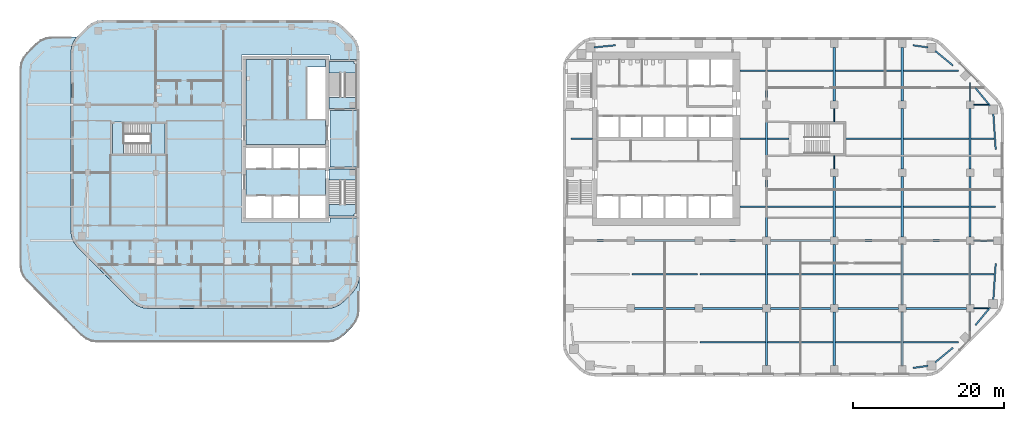
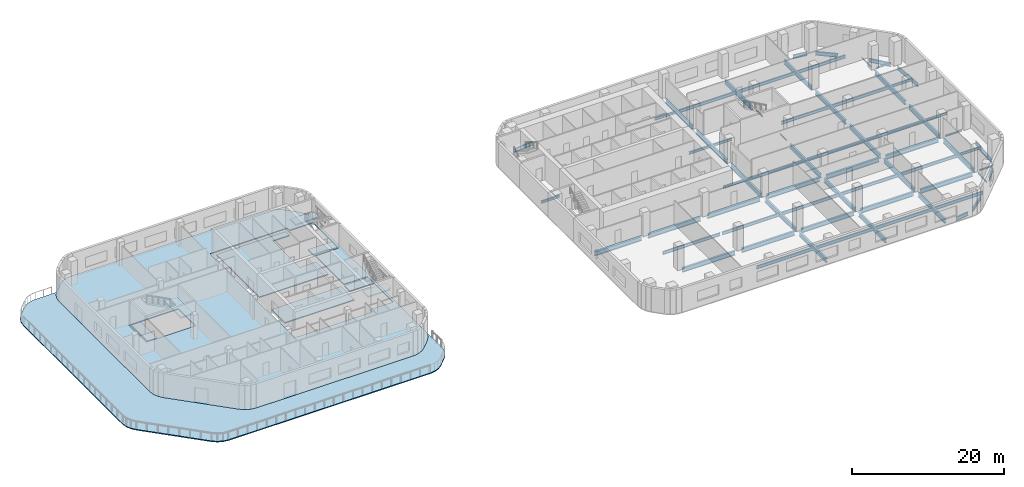
# One storey, part 3 of 15: 69 beams, 10 slabs, 3 elements without a shape of their own.
"""IFC4 building model written with IfcOpenShell, lengths in metres."""

import ifcopenshell
import ifcopenshell.guid

model = None  # the IFC model being written
_history = None  # IfcOwnerHistory: only IFC2X3 demands one
_inside = {}  # id of a spatial element -> (the spatial element, [elements in it])
_under = {}  # id of a project, library or spatial element -> (it, [spatial elements below it])
_declared = {}  # id of a project -> (the project, [libraries it declares])
_typed = {}  # id of a type object -> (the type object, [elements of that type])
_made_of = {}  # id of a material, layer set ... -> (it, [elements and type objects made of it])


def new_model(schema):
    """Start an empty IFC model of exactly this schema.

    Asked for "IFC4X3", IfcOpenShell would pick the latest addendum, in which some entities
    have other attributes; the version numbers below select the first issue.
    IFC2X3 requires an IfcOwnerHistory on every rooted entity: one is made here for all.
    """
    global model, _history
    if schema == "IFC4X3":
        model = ifcopenshell.file(schema_version=(4, 3, 0, 0))
    else:
        model = ifcopenshell.file(schema=schema)
    _inside.clear()
    _under.clear()
    _declared.clear()
    _typed.clear()
    _made_of.clear()
    _history = None
    if model.schema == "IFC2X3":
        org = make("IfcOrganization", Name="unknown")
        user = make(
            "IfcPersonAndOrganization",
            ThePerson=make("IfcPerson", FamilyName="unknown"),
            TheOrganization=org,
        )
        app = make(
            "IfcApplication",
            ApplicationDeveloper=org,
            Version="unknown",
            ApplicationFullName="unknown",
            ApplicationIdentifier="unknown",
        )
        _history = make(
            "IfcOwnerHistory",
            OwningUser=user,
            OwningApplication=app,
            ChangeAction="ADDED",
            CreationDate=0,
        )
    return model


def make(cls, **values):
    """One entity of the class cls with the attributes given. An attribute that is None is left unset."""
    return model.create_entity(
        cls, **{name: value for name, value in values.items() if value is not None}
    )


def rooted(cls, **values):
    """An entity with a GlobalId (a new one), such as an element, a storey or a relation."""
    return make(cls, GlobalId=ifcopenshell.guid.new(), OwnerHistory=_history, **values)


def si_unit(unit_type, name, prefix=None):
    """IfcSIUnit, for example si_unit("LENGTHUNIT", "METRE", prefix="MILLI")."""
    return make("IfcSIUnit", UnitType=unit_type, Prefix=prefix, Name=name)


def assignment(units):
    """IfcUnitAssignment: the units of a project."""
    return None if units is None else make("IfcUnitAssignment", Units=units)


def point(xyz):
    """IfcCartesianPoint."""
    return None if xyz is None else make("IfcCartesianPoint", Coordinates=xyz)


def direction(xyz):
    """IfcDirection."""
    return None if xyz is None else make("IfcDirection", DirectionRatios=xyz)


def frame(location, z_axis=None, x_axis=None):
    """IfcAxis2Placement3D, a coordinate frame: its origin and axes. An axis left out is left unset."""
    return make(
        "IfcAxis2Placement3D",
        Location=point(location),
        Axis=direction(z_axis),
        RefDirection=direction(x_axis),
    )


def frame_2d(location, x_axis=None):
    """IfcAxis2Placement2D, a coordinate frame in the plane: its origin and x axis."""
    return make(
        "IfcAxis2Placement2D", Location=point(location), RefDirection=direction(x_axis)
    )


def origin():
    """The frame at (0, 0, 0) with its axes left unset."""
    return frame((0.0, 0.0, 0.0))


def origin_2d():
    """The frame at (0, 0) in the plane with its x axis left unset."""
    return frame_2d((0.0, 0.0))


def place(relative_to, where):
    """IfcLocalPlacement: puts the frame where relative to a parent placement (None: the world)."""
    return make(
        "IfcLocalPlacement", PlacementRelTo=relative_to, RelativePlacement=where
    )


def context(
    kind, dimensions, precision=None, world=None, true_north=None, identifier=None
):
    """IfcGeometricRepresentationContext, for example the 3D "Model" context."""
    return make(
        "IfcGeometricRepresentationContext",
        ContextIdentifier=identifier,
        ContextType=kind,
        CoordinateSpaceDimension=dimensions,
        Precision=precision,
        WorldCoordinateSystem=world,
        TrueNorth=true_north,
    )


def subcontext(parent, identifier, kind, view, scale=None):
    """IfcGeometricRepresentationSubContext, for example "Body" below "Model"."""
    return make(
        "IfcGeometricRepresentationSubContext",
        ContextIdentifier=identifier,
        ContextType=kind,
        ParentContext=parent,
        TargetScale=scale,
        TargetView=view,
    )


def project(units=None, contexts=None):
    """IfcProject with its units and contexts."""
    return rooted(
        "IfcProject",
        Name="project",
        RepresentationContexts=contexts,
        UnitsInContext=assignment(units),
    )


def spatial(cls, under=None, at=None, **own):
    """A site, building, storey or space (cls), placed at a placement, below another one or the project."""
    s = rooted(cls, ObjectPlacement=at, **own)
    if under is not None:
        _under.setdefault(under.id(), (under, []))[1].append(s)
    return s


def polyline(points):
    """IfcPolyline through the points."""
    return make("IfcPolyline", Points=[point(p) for p in points])


def profile(cls, at=None, kind="AREA", **sizes):
    """A parametric profile (cls). Its sizes go by their IFC names, for example OverallWidth=200.0."""
    return make(cls, ProfileType=kind, Position=at, **sizes)


def i_section(**sizes):
    """IfcIShapeProfileDef."""
    return profile("IfcIShapeProfileDef", **sizes)


def outline(outer, holes=None, kind="AREA"):
    """IfcArbitraryClosedProfileDef: a profile drawn as a closed curve; with holes, ...WithVoids."""
    if holes is None:
        return make("IfcArbitraryClosedProfileDef", ProfileType=kind, OuterCurve=outer)
    return make(
        "IfcArbitraryProfileDefWithVoids",
        ProfileType=kind,
        OuterCurve=outer,
        InnerCurves=holes,
    )


def extrude(swept, where, along, depth):
    """IfcExtrudedAreaSolid: the profile swept, set in the frame where, extruded along a direction by depth."""
    return make(
        "IfcExtrudedAreaSolid",
        SweptArea=swept,
        Position=where,
        ExtrudedDirection=direction(along),
        Depth=depth,
    )


def shape(context_of_items, identifier, shape_type, items):
    """IfcShapeRepresentation: the items that make up one representation, for example the "Body"."""
    return make(
        "IfcShapeRepresentation",
        ContextOfItems=context_of_items,
        RepresentationIdentifier=identifier,
        RepresentationType=shape_type,
        Items=items,
    )


def material(Name=None, Category=None):
    """IfcMaterial."""
    return make("IfcMaterial", Name=Name, Category=Category)


def layer(
    of_material, thickness, ventilated=None, Name=None, Category=None, Priority=None
):
    """IfcMaterialLayer: one layer of a wall or slab, of a material (None: an air gap)."""
    return make(
        "IfcMaterialLayer",
        Material=of_material,
        LayerThickness=thickness,
        IsVentilated=ventilated,
        Name=Name,
        Category=Category,
        Priority=Priority,
    )


def layer_set(layers, Name=None):
    """IfcMaterialLayerSet."""
    return make("IfcMaterialLayerSet", MaterialLayers=layers, LayerSetName=Name)


def material_profile(
    of_material, cross_section, Name=None, Category=None, Priority=None
):
    """IfcMaterialProfile: a cross section and its material."""
    return make(
        "IfcMaterialProfile",
        Name=Name,
        Material=of_material,
        Profile=cross_section,
        Priority=Priority,
        Category=Category,
    )


def profile_set(profiles, Name=None, composite=None):
    """IfcMaterialProfileSet."""
    return make(
        "IfcMaterialProfileSet",
        Name=Name,
        MaterialProfiles=profiles,
        CompositeProfile=composite,
    )


def made_of(thing, what):
    """Note that an element or type object is made of a material, layer set ...; save() writes the relation."""
    if what is not None:
        _made_of.setdefault(what.id(), (what, []))[1].append(thing)
    return thing


def type_object(cls, material=None, **own):
    """A type object (cls), such as IfcWallType, which elements share."""
    return made_of(rooted(cls, **own), material)


def element(
    cls,
    number,
    at=None,
    inside=None,
    cuts=None,
    type_object=None,
    material=None,
    context=None,
    identifier="Body",
    shape_type=None,
    held_by="IfcProductDefinitionShape",
    body=None,
    shapes=None,
    **own,
):
    """One element of the class cls, such as IfcWall. Its Tag is "e" and its number.

    at: its placement. inside: the storey or other place that contains it. cuts: it is an
    opening in that element (IfcRelVoidsElement). A single representation is given by context,
    identifier, shape_type and body (its items); several are given by shapes. held_by: the class
    of the entity that holds the representations. save() writes the other relations.
    """
    e = rooted(cls, Tag="e%d" % number, ObjectPlacement=at, **own)
    if body is not None:
        shapes = [shape(context, identifier, shape_type, body)]
    if shapes is not None:
        e.Representation = make(held_by, Representations=shapes)
    if inside is not None:
        _inside.setdefault(inside.id(), (inside, []))[1].append(e)
    if cuts is not None:
        rooted(
            "IfcRelVoidsElement", RelatingBuildingElement=cuts, RelatedOpeningElement=e
        )
    if type_object is not None:
        _typed.setdefault(type_object.id(), (type_object, []))[1].append(e)
    return made_of(e, material)


def aggregate(whole, parts):
    """IfcRelAggregates: a whole, such as a stair, and the parts it consists of."""
    return rooted("IfcRelAggregates", RelatingObject=whole, RelatedObjects=parts)


def save(model, path):
    """Write the relations noted so far, then the file.

    IfcRelAggregates (storeys below a building ...), IfcRelContainedInSpatialStructure (elements
    in a storey), IfcRelDefinesByType, IfcRelAssociatesMaterial and IfcRelDeclares: one each for
    every whole, place, type object, material and project.
    """
    for whole, parts in _under.values():
        aggregate(whole, parts)
    for where, things in _inside.values():
        rooted(
            "IfcRelContainedInSpatialStructure",
            RelatedElements=things,
            RelatingStructure=where,
        )
    for kind, things in _typed.values():
        rooted("IfcRelDefinesByType", RelatedObjects=things, RelatingType=kind)
    for what, things in _made_of.values():
        rooted("IfcRelAssociatesMaterial", RelatedObjects=things, RelatingMaterial=what)
    for by, libraries in _declared.values():
        rooted("IfcRelDeclares", RelatingContext=by, RelatedDefinitions=libraries)
    model.write(path)


model = new_model("IFC4")

# Units and contexts
model_context = context("Model", 3, precision=1e-05, world=origin(), true_north=direction((0.0, 1.0)))
body_context = subcontext(model_context, "Body", "Model", "MODEL_VIEW")
ifc_project = project(units=[si_unit("LENGTHUNIT", "METRE"), si_unit("AREAUNIT", "SQUARE_METRE"), si_unit("VOLUMEUNIT", "CUBIC_METRE"), si_unit("PLANEANGLEUNIT", "RADIAN"), si_unit("MASSUNIT", "GRAM", prefix="KILO")], contexts=[model_context])

# Site, building, storey
site_placement = place(None, origin())
site = spatial("IfcSite", under=ifc_project, at=site_placement, CompositionType="ELEMENT")
building_placement = place(site_placement, origin())
building = spatial("IfcBuilding", under=site, at=building_placement, Name="Cinnabar Reach Civic Tower", CompositionType="ELEMENT")
storey_placement = place(building_placement, frame((0.0, 0.0, 51.0)))
storey = spatial("IfcBuildingStorey", under=building, at=storey_placement, Name="L11", CompositionType="ELEMENT", Elevation=51.0)

# Beams
ifc_material_1 = material(Name="Steel Q355B", Category="steel")
ifc_material_profile_1 = material_profile(ifc_material_1, i_section(OverallWidth=0.099, OverallDepth=0.198, WebThickness=0.0045, FlangeThickness=0.007, FilletRadius=0.013, at=origin_2d()), Name="HN200x100x5.5x8")
ifc_profile_set_1 = profile_set([ifc_material_profile_1], Name="Steel Q355B")
beam_type_1 = type_object("IfcBeamType", Name="HN200x100x5.5x8 beam R 180", PredefinedType="BEAM", material=ifc_profile_set_1)
for number, where, z_axis, x_axis, name in (
    (1, (36.0, 27.502, -0.249), (0.0, 1.0, 0.0), (-1.0, 0.0, 0.0), "Girder T1 L11 9"),
    (2, (36.0, 33.752, -0.249), (0.0, 1.0, 0.0), (-1.0, 0.0, 0.0), "Girder T1 L11 10"),
):
    element("IfcBeam", number, at=place(storey_placement, frame(where, z_axis=z_axis, x_axis=x_axis)), inside=storey, type_object=beam_type_1, Name=name, PredefinedType="BEAM", context=body_context, shape_type="SweptSolid", body=[
        extrude(i_section(OverallWidth=0.099, OverallDepth=0.198, WebThickness=0.0045, FlangeThickness=0.007, FilletRadius=0.013, at=origin_2d()), origin(), (0.0, 0.0, 1.0), 1.746),
    ])
for number, where, z_axis, x_axis, name in (
    (3, (54.0, 6.0585, -0.249), (0.0, 1.0, 0.0), (-1.0, 0.0, 0.0), "Girder T1 L11 17"),
    (4, (54.0, 36.502, -0.249), (0.0, 1.0, 0.0), (-1.0, 0.0, 0.0), "Girder T1 L11 21"),
):
    element("IfcBeam", number, at=place(storey_placement, frame(where, z_axis=z_axis, x_axis=x_axis)), inside=storey, type_object=beam_type_1, Name=name, PredefinedType="BEAM", context=body_context, shape_type="SweptSolid", body=[
        extrude(i_section(OverallWidth=0.099, OverallDepth=0.198, WebThickness=0.0045, FlangeThickness=0.007, FilletRadius=0.013, at=origin_2d()), origin(), (0.0, 0.0, 1.0), 2.4395),
    ])
ifc_material_profile_2 = material_profile(ifc_material_1, i_section(OverallWidth=0.124, OverallDepth=0.248, WebThickness=0.005, FlangeThickness=0.008, FilletRadius=0.013, at=origin_2d()), Name="HN250x125x6x9")
ifc_profile_set_2 = profile_set([ifc_material_profile_2], Name="Steel Q355B")
beam_type_2 = type_object("IfcBeamType", Name="HN250x125x6x9 beam R 180", PredefinedType="BEAM", material=ifc_profile_set_2)
beam_1_placement = place(storey_placement, frame((54.502, 9.0, -0.274), z_axis=(1.0, 0.0, 0.0), x_axis=(0.0, 1.0, 0.0)))
element("IfcBeam", 5, at=beam_1_placement, inside=storey, type_object=beam_type_2, Name="Girder T1 L11 7", PredefinedType="BEAM", context=body_context, shape_type="SweptSolid", body=[
    extrude(i_section(OverallWidth=0.124, OverallDepth=0.248, WebThickness=0.005, FlangeThickness=0.008, FilletRadius=0.013, at=origin_2d()), origin(), (0.0, 0.0, 1.0), 1.9162),
])
beam_2_placement = place(storey_placement, frame((54.502, 18.0, -0.274), z_axis=(1.0, 0.0, 0.0), x_axis=(0.0, 1.0, 0.0)))
element("IfcBeam", 6, at=beam_2_placement, inside=storey, type_object=beam_type_2, Name="Girder T1 L11 14", PredefinedType="BEAM", context=body_context, shape_type="SweptSolid", body=[
    extrude(i_section(OverallWidth=0.124, OverallDepth=0.248, WebThickness=0.005, FlangeThickness=0.008, FilletRadius=0.013, at=origin_2d()), origin(), (0.0, 0.0, 1.0), 2.596),
])
beam_3_placement = place(storey_placement, frame((54.502, 36.0, -0.274), z_axis=(1.0, 0.0, 0.0), x_axis=(0.0, 1.0, 0.0)))
element("IfcBeam", 7, at=beam_3_placement, inside=storey, type_object=beam_type_2, Name="Girder T1 L11 15", PredefinedType="BEAM", context=body_context, shape_type="SweptSolid", body=[
    extrude(i_section(OverallWidth=0.124, OverallDepth=0.248, WebThickness=0.005, FlangeThickness=0.008, FilletRadius=0.013, at=origin_2d()), origin(), (0.0, 0.0, 1.0), 1.9162),
])
ifc_material_profile_3 = material_profile(ifc_material_1, i_section(OverallWidth=0.2, OverallDepth=0.4, WebThickness=0.008, FlangeThickness=0.013, FilletRadius=0.016, at=origin_2d()), Name="HN400x200x8x13")
ifc_profile_set_3 = profile_set([ifc_material_profile_3], Name="Steel Q355B")
beam_type_3 = type_object("IfcBeamType", Name="HN400x200x8x13 beam R 180", PredefinedType="BEAM", material=ifc_profile_set_3)
beam_4_placement = place(storey_placement, frame((54.152, 13.5, -0.35), z_axis=(1.0, 0.0, 0.0), x_axis=(0.0, 1.0, 0.0)))
element("IfcBeam", 8, at=beam_4_placement, inside=storey, type_object=beam_type_3, Name="Secondary beam T1 L11 13", PredefinedType="BEAM", context=body_context, shape_type="SweptSolid", body=[
    extrude(i_section(OverallWidth=0.2, OverallDepth=0.4, WebThickness=0.008, FlangeThickness=0.013, FilletRadius=0.016, at=origin_2d()), origin(), (0.0, 0.0, 1.0), 3.0494),
])
beam_5_placement = place(storey_placement, frame((23.502, 22.5, -0.35), z_axis=(1.0, 0.0, 0.0), x_axis=(0.0, 1.0, 0.0)))
element("IfcBeam", 9, at=beam_5_placement, inside=storey, type_object=beam_type_3, Name="Secondary beam T1 L11 14", PredefinedType="BEAM", context=body_context, shape_type="SweptSolid", body=[
    extrude(i_section(OverallWidth=0.2, OverallDepth=0.4, WebThickness=0.008, FlangeThickness=0.013, FilletRadius=0.016, at=origin_2d()), origin(), (0.0, 0.0, 1.0), 3.346),
])
beam_6_placement = place(storey_placement, frame((54.152, 22.5, -0.35), z_axis=(1.0, 0.0, 0.0), x_axis=(0.0, 1.0, 0.0)))
element("IfcBeam", 10, at=beam_6_placement, inside=storey, type_object=beam_type_3, Name="Secondary beam T1 L11 18", PredefinedType="BEAM", context=body_context, shape_type="SweptSolid", body=[
    extrude(i_section(OverallWidth=0.2, OverallDepth=0.4, WebThickness=0.008, FlangeThickness=0.013, FilletRadius=0.016, at=origin_2d()), origin(), (0.0, 0.0, 1.0), 3.246),
])
beam_7_placement = place(storey_placement, frame((1.102, 31.5, -0.35), z_axis=(1.0, 0.0, 0.0), x_axis=(0.0, 1.0, 0.0)))
element("IfcBeam", 11, at=beam_7_placement, inside=storey, type_object=beam_type_3, Name="Secondary beam T1 L11 19", PredefinedType="BEAM", context=body_context, shape_type="SweptSolid", body=[
    extrude(i_section(OverallWidth=0.2, OverallDepth=0.4, WebThickness=0.008, FlangeThickness=0.013, FilletRadius=0.016, at=origin_2d()), origin(), (0.0, 0.0, 1.0), 2.796),
])
beam_8_placement = place(storey_placement, frame((23.502, 31.5, -0.35), z_axis=(1.0, 0.0, 0.0), x_axis=(0.0, 1.0, 0.0)))
element("IfcBeam", 12, at=beam_8_placement, inside=storey, type_object=beam_type_3, Name="Secondary beam T1 L11 20", PredefinedType="BEAM", context=body_context, shape_type="SweptSolid", body=[
    extrude(i_section(OverallWidth=0.2, OverallDepth=0.4, WebThickness=0.008, FlangeThickness=0.013, FilletRadius=0.016, at=origin_2d()), origin(), (0.0, 0.0, 1.0), 3.346),
])
beam_9_placement = place(storey_placement, frame((27.152, 31.5, -0.35), z_axis=(1.0, 0.0, 0.0), x_axis=(0.0, 1.0, 0.0)))
element("IfcBeam", 13, at=beam_9_placement, inside=storey, type_object=beam_type_3, Name="Secondary beam T1 L11 21", PredefinedType="BEAM", context=body_context, shape_type="SweptSolid", body=[
    extrude(i_section(OverallWidth=0.2, OverallDepth=0.4, WebThickness=0.008, FlangeThickness=0.013, FilletRadius=0.016, at=origin_2d()), origin(), (0.0, 0.0, 1.0), 2.846),
])
beam_10_placement = place(storey_placement, frame((54.152, 31.5, -0.35), z_axis=(1.0, 0.0, 0.0), x_axis=(0.0, 1.0, 0.0)))
element("IfcBeam", 14, at=beam_10_placement, inside=storey, type_object=beam_type_3, Name="Secondary beam T1 L11 24", PredefinedType="BEAM", context=body_context, shape_type="SweptSolid", body=[
    extrude(i_section(OverallWidth=0.2, OverallDepth=0.4, WebThickness=0.008, FlangeThickness=0.013, FilletRadius=0.016, at=origin_2d()), origin(), (0.0, 0.0, 1.0), 3.0494),
])
beam_11_placement = place(storey_placement, frame((23.502, 40.5, -0.35), z_axis=(1.0, 0.0, 0.0), x_axis=(0.0, 1.0, 0.0)))
element("IfcBeam", 15, at=beam_11_placement, inside=storey, type_object=beam_type_3, Name="Secondary beam T1 L11 25", PredefinedType="BEAM", context=body_context, shape_type="SweptSolid", body=[
    extrude(i_section(OverallWidth=0.2, OverallDepth=0.4, WebThickness=0.008, FlangeThickness=0.013, FilletRadius=0.016, at=origin_2d()), origin(), (0.0, 0.0, 1.0), 3.346),
])
ifc_material_profile_4 = material_profile(ifc_material_1, i_section(OverallWidth=0.2, OverallDepth=0.5, WebThickness=0.01, FlangeThickness=0.016, FilletRadius=0.016, at=origin_2d()), Name="HN500x200x10x16")
ifc_profile_set_4 = profile_set([ifc_material_profile_4], Name="Steel Q355B")
beam_type_4 = type_object("IfcBeamType", Name="HN500x200x10x16 beam R 180", PredefinedType="BEAM", material=ifc_profile_set_4)
beam_12_placement = place(storey_placement, frame((18.1545, 4.5, -0.4), z_axis=(1.0, 0.0, 0.0), x_axis=(0.0, 1.0, 0.0)))
element("IfcBeam", 16, at=beam_12_placement, inside=storey, type_object=beam_type_4, Name="Secondary beam T1 L11 3", PredefinedType="BEAM", context=body_context, shape_type="SweptSolid", body=[
    extrude(i_section(OverallWidth=0.2, OverallDepth=0.5, WebThickness=0.01, FlangeThickness=0.016, FilletRadius=0.016, at=origin_2d()), origin(), (0.0, 0.0, 1.0), 8.6935),
])
for number, where, z_axis, x_axis, name in (
    (17, (27.152, 4.5, -0.4), (1.0, 0.0, 0.0), (0.0, 1.0, 0.0), "Secondary beam T1 L11 4"),
    (18, (36.152, 4.5, -0.4), (1.0, 0.0, 0.0), (0.0, 1.0, 0.0), "Secondary beam T1 L11 5"),
):
    element("IfcBeam", number, at=place(storey_placement, frame(where, z_axis=z_axis, x_axis=x_axis)), inside=storey, type_object=beam_type_4, Name=name, PredefinedType="BEAM", context=body_context, shape_type="SweptSolid", body=[
        extrude(i_section(OverallWidth=0.2, OverallDepth=0.5, WebThickness=0.01, FlangeThickness=0.016, FilletRadius=0.016, at=origin_2d()), origin(), (0.0, 0.0, 1.0), 8.696),
    ])
beam_13_placement = place(storey_placement, frame((45.152, 4.5, -0.4), z_axis=(1.0, 0.0, 0.0), x_axis=(0.0, 1.0, 0.0)))
element("IfcBeam", 19, at=beam_13_placement, inside=storey, type_object=beam_type_4, Name="Secondary beam T1 L11 6", PredefinedType="BEAM", context=body_context, shape_type="SweptSolid", body=[
    extrude(i_section(OverallWidth=0.2, OverallDepth=0.5, WebThickness=0.01, FlangeThickness=0.016, FilletRadius=0.016, at=origin_2d()), origin(), (0.0, 0.0, 1.0), 7.2895),
])
beam_14_placement = place(storey_placement, frame((9.1545, 13.5, -0.4), z_axis=(1.0, 0.0, 0.0), x_axis=(0.0, 1.0, 0.0)))
element("IfcBeam", 20, at=beam_14_placement, inside=storey, type_object=beam_type_4, Name="Secondary beam T1 L11 8", PredefinedType="BEAM", context=body_context, shape_type="SweptSolid", body=[
    extrude(i_section(OverallWidth=0.2, OverallDepth=0.5, WebThickness=0.01, FlangeThickness=0.016, FilletRadius=0.016, at=origin_2d()), origin(), (0.0, 0.0, 1.0), 8.691),
])
beam_15_placement = place(storey_placement, frame((18.1545, 13.5, -0.4), z_axis=(1.0, 0.0, 0.0), x_axis=(0.0, 1.0, 0.0)))
element("IfcBeam", 21, at=beam_15_placement, inside=storey, type_object=beam_type_4, Name="Secondary beam T1 L11 9", PredefinedType="BEAM", context=body_context, shape_type="SweptSolid", body=[
    extrude(i_section(OverallWidth=0.2, OverallDepth=0.5, WebThickness=0.01, FlangeThickness=0.016, FilletRadius=0.016, at=origin_2d()), origin(), (0.0, 0.0, 1.0), 8.6935),
])
for number, where, z_axis, x_axis, name in (
    (22, (27.152, 13.5, -0.4), (1.0, 0.0, 0.0), (0.0, 1.0, 0.0), "Secondary beam T1 L11 10"),
    (23, (36.152, 13.5, -0.4), (1.0, 0.0, 0.0), (0.0, 1.0, 0.0), "Secondary beam T1 L11 11"),
    (24, (45.152, 13.5, -0.4), (1.0, 0.0, 0.0), (0.0, 1.0, 0.0), "Secondary beam T1 L11 12"),
    (25, (27.152, 22.5, -0.4), (1.0, 0.0, 0.0), (0.0, 1.0, 0.0), "Secondary beam T1 L11 15"),
    (26, (36.152, 22.5, -0.4), (1.0, 0.0, 0.0), (0.0, 1.0, 0.0), "Secondary beam T1 L11 16"),
    (27, (45.152, 22.5, -0.4), (1.0, 0.0, 0.0), (0.0, 1.0, 0.0), "Secondary beam T1 L11 17"),
):
    element("IfcBeam", number, at=place(storey_placement, frame(where, z_axis=z_axis, x_axis=x_axis)), inside=storey, type_object=beam_type_4, Name=name, PredefinedType="BEAM", context=body_context, shape_type="SweptSolid", body=[
        extrude(i_section(OverallWidth=0.2, OverallDepth=0.5, WebThickness=0.01, FlangeThickness=0.016, FilletRadius=0.016, at=origin_2d()), origin(), (0.0, 0.0, 1.0), 8.696),
    ])
beam_16_placement = place(storey_placement, frame((37.502, 31.5, -0.4), z_axis=(1.0, 0.0, 0.0), x_axis=(0.0, 1.0, 0.0)))
element("IfcBeam", 28, at=beam_16_placement, inside=storey, type_object=beam_type_4, Name="Secondary beam T1 L11 22", PredefinedType="BEAM", context=body_context, shape_type="SweptSolid", body=[
    extrude(i_section(OverallWidth=0.2, OverallDepth=0.5, WebThickness=0.01, FlangeThickness=0.016, FilletRadius=0.016, at=origin_2d()), origin(), (0.0, 0.0, 1.0), 7.346),
])
for number, where, z_axis, x_axis, name in (
    (29, (45.152, 31.5, -0.4), (1.0, 0.0, 0.0), (0.0, 1.0, 0.0), "Secondary beam T1 L11 23"),
    (30, (27.152, 40.5, -0.4), (1.0, 0.0, 0.0), (0.0, 1.0, 0.0), "Secondary beam T1 L11 26"),
    (31, (36.152, 40.5, -0.4), (1.0, 0.0, 0.0), (0.0, 1.0, 0.0), "Secondary beam T1 L11 27"),
):
    element("IfcBeam", number, at=place(storey_placement, frame(where, z_axis=z_axis, x_axis=x_axis)), inside=storey, type_object=beam_type_4, Name=name, PredefinedType="BEAM", context=body_context, shape_type="SweptSolid", body=[
        extrude(i_section(OverallWidth=0.2, OverallDepth=0.5, WebThickness=0.01, FlangeThickness=0.016, FilletRadius=0.016, at=origin_2d()), origin(), (0.0, 0.0, 1.0), 8.696),
    ])
beam_17_placement = place(storey_placement, frame((45.152, 40.5, -0.4), z_axis=(1.0, 0.0, 0.0), x_axis=(0.0, 1.0, 0.0)))
element("IfcBeam", 32, at=beam_17_placement, inside=storey, type_object=beam_type_4, Name="Secondary beam T1 L11 28", PredefinedType="BEAM", context=body_context, shape_type="SweptSolid", body=[
    extrude(i_section(OverallWidth=0.2, OverallDepth=0.5, WebThickness=0.01, FlangeThickness=0.016, FilletRadius=0.016, at=origin_2d()), origin(), (0.0, 0.0, 1.0), 7.2895),
])
ifc_material_profile_5 = material_profile(ifc_material_1, i_section(OverallWidth=0.2, OverallDepth=0.6, WebThickness=0.011, FlangeThickness=0.017, FilletRadius=0.016, at=origin_2d()), Name="HN600x200x11x17")
ifc_profile_set_5 = profile_set([ifc_material_profile_5], Name="Steel Q355B")
beam_type_5 = type_object("IfcBeamType", Name="HN600x200x11x17 beam R 180", PredefinedType="BEAM", material=ifc_profile_set_5)
beam_18_placement = place(storey_placement, frame((46.4236, 1.102, -0.45), z_axis=(0.990084199852, 0.140475183587, 0.0), x_axis=(-0.140475183587, 0.990084199852, 0.0)))
element("IfcBeam", 33, at=beam_18_placement, inside=storey, type_object=beam_type_5, Name="Edge beam T1 L11 2", PredefinedType="BEAM", context=body_context, shape_type="SweptSolid", body=[
    extrude(i_section(OverallWidth=0.2, OverallDepth=0.6, WebThickness=0.011, FlangeThickness=0.017, FilletRadius=0.016, at=origin_2d()), origin(), (0.0, 0.0, 1.0), 2.0125),
])
for number, where, z_axis, x_axis, name in (
    (34, (49.3801, 1.8507, -0.45), (0.771450132459, 0.636289787069, 0.0), (-0.636289787069, 0.771450132459, 0.0), "Edge beam T1 L11 3"),
    (35, (54.7088, 6.7672, -0.45), (0.636289787069, 0.771450132459, 0.0), (-0.771450132459, 0.636289787069, 0.0), "Edge beam T1 L11 4"),
):
    element("IfcBeam", number, at=place(storey_placement, frame(where, z_axis=z_axis, x_axis=x_axis)), inside=storey, type_object=beam_type_5, Name=name, PredefinedType="BEAM", context=body_context, shape_type="SweptSolid", body=[
        extrude(i_section(OverallWidth=0.2, OverallDepth=0.6, WebThickness=0.011, FlangeThickness=0.017, FilletRadius=0.016, at=origin_2d()), origin(), (0.0, 0.0, 1.0), 3.0497),
    ])
for number, where, z_axis, x_axis, name in (
    (36, (57.0786, 10.0839, -0.45), (0.065726819329, 0.997837654742, 0.0), (-0.997837654742, 0.065726819329, 0.0), "Edge beam T1 L11 5"),
    (37, (57.398, 30.0671, -0.45), (-0.065726819329, 0.997837654742, 0.0), (-0.997837654742, -0.065726819329, 0.0), "Edge beam T1 L11 6"),
):
    element("IfcBeam", number, at=place(storey_placement, frame(where, z_axis=z_axis, x_axis=x_axis)), inside=storey, type_object=beam_type_5, Name=name, PredefinedType="BEAM", context=body_context, shape_type="SweptSolid", body=[
        extrude(i_section(OverallWidth=0.2, OverallDepth=0.6, WebThickness=0.011, FlangeThickness=0.017, FilletRadius=0.016, at=origin_2d()), origin(), (0.0, 0.0, 1.0), 4.8595),
    ])
for number, where, z_axis, x_axis, name in (
    (38, (56.6493, 35.8801, -0.45), (-0.636289787069, 0.771450132459, 0.0), (-0.771450132459, -0.636289787069, 0.0), "Edge beam T1 L11 7"),
    (39, (51.7328, 41.2088, -0.45), (-0.771450132459, 0.636289787069, 0.0), (-0.636289787069, -0.771450132459, 0.0), "Edge beam T1 L11 8"),
):
    element("IfcBeam", number, at=place(storey_placement, frame(where, z_axis=z_axis, x_axis=x_axis)), inside=storey, type_object=beam_type_5, Name=name, PredefinedType="BEAM", context=body_context, shape_type="SweptSolid", body=[
        extrude(i_section(OverallWidth=0.2, OverallDepth=0.6, WebThickness=0.011, FlangeThickness=0.017, FilletRadius=0.016, at=origin_2d()), origin(), (0.0, 0.0, 1.0), 3.0497),
    ])
beam_19_placement = place(storey_placement, frame((48.4161, 43.6153, -0.45), z_axis=(-0.990084199852, 0.140475183587, 0.0), x_axis=(-0.140475183587, -0.990084199852, 0.0)))
element("IfcBeam", 40, at=beam_19_placement, inside=storey, type_object=beam_type_5, Name="Edge beam T1 L11 9", PredefinedType="BEAM", context=body_context, shape_type="SweptSolid", body=[
    extrude(i_section(OverallWidth=0.2, OverallDepth=0.6, WebThickness=0.011, FlangeThickness=0.017, FilletRadius=0.016, at=origin_2d()), origin(), (0.0, 0.0, 1.0), 2.0125),
])
beam_20_placement = place(storey_placement, frame((6.953, 43.898, -0.45), z_axis=(-0.995167725946, -0.098189598406, 0.0), x_axis=(0.098189598406, -0.995167725946, 0.0)))
element("IfcBeam", 41, at=beam_20_placement, inside=storey, type_object=beam_type_5, Name="Edge beam T1 L11 10", PredefinedType="BEAM", context=body_context, shape_type="SweptSolid", body=[
    extrude(i_section(OverallWidth=0.2, OverallDepth=0.6, WebThickness=0.011, FlangeThickness=0.017, FilletRadius=0.016, at=origin_2d()), origin(), (0.0, 0.0, 1.0), 2.818),
])
ifc_material_profile_6 = material_profile(ifc_material_1, i_section(OverallWidth=0.3, OverallDepth=0.692, WebThickness=0.013, FlangeThickness=0.02, FilletRadius=0.016, at=origin_2d()), Name="HN692x300x13x20")
ifc_profile_set_6 = profile_set([ifc_material_profile_6], Name="Steel Q355B")
beam_type_6 = type_object("IfcBeamType", Name="HN692x300x13x20 beam R 180", PredefinedType="BEAM", material=ifc_profile_set_6)
beam_21_placement = place(storey_placement, frame((27.0, 1.402, -0.496), z_axis=(0.0, 1.0, 0.0), x_axis=(-1.0, 0.0, 0.0)))
element("IfcBeam", 42, at=beam_21_placement, inside=storey, type_object=beam_type_6, Name="Girder T1 L11 1", PredefinedType="BEAM", context=body_context, shape_type="SweptSolid", body=[
    extrude(i_section(OverallWidth=0.3, OverallDepth=0.692, WebThickness=0.013, FlangeThickness=0.02, FilletRadius=0.016, at=origin_2d()), origin(), (0.0, 0.0, 1.0), 7.096),
])
for number, where, z_axis, x_axis, name in (
    (43, (27.0, 9.502, -0.496), (0.0, 1.0, 0.0), (-1.0, 0.0, 0.0), "Girder T1 L11 2"),
    (44, (27.0, 18.502, -0.496), (0.0, 1.0, 0.0), (-1.0, 0.0, 0.0), "Girder T1 L11 3"),
    (45, (27.0, 27.502, -0.496), (0.0, 1.0, 0.0), (-1.0, 0.0, 0.0), "Girder T1 L11 4"),
):
    element("IfcBeam", number, at=place(storey_placement, frame(where, z_axis=z_axis, x_axis=x_axis)), inside=storey, type_object=beam_type_6, Name=name, PredefinedType="BEAM", context=body_context, shape_type="SweptSolid", body=[
        extrude(i_section(OverallWidth=0.3, OverallDepth=0.692, WebThickness=0.013, FlangeThickness=0.02, FilletRadius=0.016, at=origin_2d()), origin(), (0.0, 0.0, 1.0), 7.996),
    ])
for number, where, z_axis, x_axis, name in (
    (46, (27.0, 36.502, -0.496), (0.0, 1.0, 0.0), (-1.0, 0.0, 0.0), "Girder T1 L11 5"),
    (47, (36.0, 1.402, -0.496), (0.0, 1.0, 0.0), (-1.0, 0.0, 0.0), "Girder T1 L11 6"),
):
    element("IfcBeam", number, at=place(storey_placement, frame(where, z_axis=z_axis, x_axis=x_axis)), inside=storey, type_object=beam_type_6, Name=name, PredefinedType="BEAM", context=body_context, shape_type="SweptSolid", body=[
        extrude(i_section(OverallWidth=0.3, OverallDepth=0.692, WebThickness=0.013, FlangeThickness=0.02, FilletRadius=0.016, at=origin_2d()), origin(), (0.0, 0.0, 1.0), 7.096),
    ])
for number, where, z_axis, x_axis, name in (
    (48, (36.0, 9.502, -0.496), (0.0, 1.0, 0.0), (-1.0, 0.0, 0.0), "Girder T1 L11 7"),
    (49, (36.0, 18.502, -0.496), (0.0, 1.0, 0.0), (-1.0, 0.0, 0.0), "Girder T1 L11 8"),
):
    element("IfcBeam", number, at=place(storey_placement, frame(where, z_axis=z_axis, x_axis=x_axis)), inside=storey, type_object=beam_type_6, Name=name, PredefinedType="BEAM", context=body_context, shape_type="SweptSolid", body=[
        extrude(i_section(OverallWidth=0.3, OverallDepth=0.692, WebThickness=0.013, FlangeThickness=0.02, FilletRadius=0.016, at=origin_2d()), origin(), (0.0, 0.0, 1.0), 7.996),
    ])
for number, where, z_axis, x_axis, name in (
    (50, (36.0, 36.502, -0.496), (0.0, 1.0, 0.0), (-1.0, 0.0, 0.0), "Girder T1 L11 11"),
    (51, (45.0, 1.402, -0.496), (0.0, 1.0, 0.0), (-1.0, 0.0, 0.0), "Girder T1 L11 12"),
):
    element("IfcBeam", number, at=place(storey_placement, frame(where, z_axis=z_axis, x_axis=x_axis)), inside=storey, type_object=beam_type_6, Name=name, PredefinedType="BEAM", context=body_context, shape_type="SweptSolid", body=[
        extrude(i_section(OverallWidth=0.3, OverallDepth=0.692, WebThickness=0.013, FlangeThickness=0.02, FilletRadius=0.016, at=origin_2d()), origin(), (0.0, 0.0, 1.0), 7.096),
    ])
for number, where, z_axis, x_axis, name in (
    (52, (45.0, 9.502, -0.496), (0.0, 1.0, 0.0), (-1.0, 0.0, 0.0), "Girder T1 L11 13"),
    (53, (45.0, 18.502, -0.496), (0.0, 1.0, 0.0), (-1.0, 0.0, 0.0), "Girder T1 L11 14"),
    (54, (45.0, 27.502, -0.496), (0.0, 1.0, 0.0), (-1.0, 0.0, 0.0), "Girder T1 L11 15"),
):
    element("IfcBeam", number, at=place(storey_placement, frame(where, z_axis=z_axis, x_axis=x_axis)), inside=storey, type_object=beam_type_6, Name=name, PredefinedType="BEAM", context=body_context, shape_type="SweptSolid", body=[
        extrude(i_section(OverallWidth=0.3, OverallDepth=0.692, WebThickness=0.013, FlangeThickness=0.02, FilletRadius=0.016, at=origin_2d()), origin(), (0.0, 0.0, 1.0), 7.996),
    ])
beam_22_placement = place(storey_placement, frame((45.0, 36.502, -0.496), z_axis=(0.0, 1.0, 0.0), x_axis=(-1.0, 0.0, 0.0)))
element("IfcBeam", 55, at=beam_22_placement, inside=storey, type_object=beam_type_6, Name="Girder T1 L11 16", PredefinedType="BEAM", context=body_context, shape_type="SweptSolid", body=[
    extrude(i_section(OverallWidth=0.3, OverallDepth=0.692, WebThickness=0.013, FlangeThickness=0.02, FilletRadius=0.016, at=origin_2d()), origin(), (0.0, 0.0, 1.0), 7.096),
])
for number, where, z_axis, x_axis, name in (
    (56, (54.0, 9.502, -0.496), (0.0, 1.0, 0.0), (-1.0, 0.0, 0.0), "Girder T1 L11 18"),
    (57, (54.0, 18.502, -0.496), (0.0, 1.0, 0.0), (-1.0, 0.0, 0.0), "Girder T1 L11 19"),
    (58, (54.0, 27.502, -0.496), (0.0, 1.0, 0.0), (-1.0, 0.0, 0.0), "Girder T1 L11 20"),
):
    element("IfcBeam", number, at=place(storey_placement, frame(where, z_axis=z_axis, x_axis=x_axis)), inside=storey, type_object=beam_type_6, Name=name, PredefinedType="BEAM", context=body_context, shape_type="SweptSolid", body=[
        extrude(i_section(OverallWidth=0.3, OverallDepth=0.692, WebThickness=0.013, FlangeThickness=0.02, FilletRadius=0.016, at=origin_2d()), origin(), (0.0, 0.0, 1.0), 7.996),
    ])
ifc_material_profile_7 = material_profile(ifc_material_1, i_section(OverallWidth=0.3, OverallDepth=0.7, WebThickness=0.013, FlangeThickness=0.024, FilletRadius=0.02, at=origin_2d()), Name="HN700x300x13x24")
ifc_profile_set_7 = profile_set([ifc_material_profile_7], Name="Steel Q355B")
beam_type_7 = type_object("IfcBeamType", Name="HN700x300x13x24 beam R 180", PredefinedType="BEAM", material=ifc_profile_set_7)
for number, where, z_axis, x_axis, name in (
    (59, (9.502, 9.0, -0.5), (1.0, 0.0, 0.0), (0.0, 1.0, 0.0), "Girder T1 L11 2"),
    (60, (18.502, 9.0, -0.5), (1.0, 0.0, 0.0), (0.0, 1.0, 0.0), "Girder T1 L11 3"),
    (61, (27.502, 9.0, -0.5), (1.0, 0.0, 0.0), (0.0, 1.0, 0.0), "Girder T1 L11 4"),
    (62, (36.502, 9.0, -0.5), (1.0, 0.0, 0.0), (0.0, 1.0, 0.0), "Girder T1 L11 5"),
    (63, (45.502, 9.0, -0.5), (1.0, 0.0, 0.0), (0.0, 1.0, 0.0), "Girder T1 L11 6"),
):
    element("IfcBeam", number, at=place(storey_placement, frame(where, z_axis=z_axis, x_axis=x_axis)), inside=storey, type_object=beam_type_7, Name=name, PredefinedType="BEAM", context=body_context, shape_type="SweptSolid", body=[
        extrude(i_section(OverallWidth=0.3, OverallDepth=0.7, WebThickness=0.013, FlangeThickness=0.024, FilletRadius=0.02, at=origin_2d()), origin(), (0.0, 0.0, 1.0), 7.996),
    ])
beam_23_placement = place(storey_placement, frame((1.402, 18.0, -0.5), z_axis=(1.0, 0.0, 0.0), x_axis=(0.0, 1.0, 0.0)))
element("IfcBeam", 64, at=beam_23_placement, inside=storey, type_object=beam_type_7, Name="Girder T1 L11 8", PredefinedType="BEAM", context=body_context, shape_type="SweptSolid", body=[
    extrude(i_section(OverallWidth=0.3, OverallDepth=0.7, WebThickness=0.013, FlangeThickness=0.024, FilletRadius=0.02, at=origin_2d()), origin(), (0.0, 0.0, 1.0), 7.096),
])
for number, where, z_axis, x_axis, name in (
    (65, (9.502, 18.0, -0.5), (1.0, 0.0, 0.0), (0.0, 1.0, 0.0), "Girder T1 L11 9"),
    (66, (18.502, 18.0, -0.5), (1.0, 0.0, 0.0), (0.0, 1.0, 0.0), "Girder T1 L11 10"),
    (67, (27.502, 18.0, -0.5), (1.0, 0.0, 0.0), (0.0, 1.0, 0.0), "Girder T1 L11 11"),
    (68, (36.502, 18.0, -0.5), (1.0, 0.0, 0.0), (0.0, 1.0, 0.0), "Girder T1 L11 12"),
    (69, (45.502, 18.0, -0.5), (1.0, 0.0, 0.0), (0.0, 1.0, 0.0), "Girder T1 L11 13"),
):
    element("IfcBeam", number, at=place(storey_placement, frame(where, z_axis=z_axis, x_axis=x_axis)), inside=storey, type_object=beam_type_7, Name=name, PredefinedType="BEAM", context=body_context, shape_type="SweptSolid", body=[
        extrude(i_section(OverallWidth=0.3, OverallDepth=0.7, WebThickness=0.013, FlangeThickness=0.024, FilletRadius=0.02, at=origin_2d()), origin(), (0.0, 0.0, 1.0), 7.996),
    ])

# Slabs
ifc_material_2 = material(Name="Concrete C40", Category="concrete")
ifc_layer_1 = layer(ifc_material_2, 0.15)
ifc_layer_set_1 = layer_set([ifc_layer_1], Name="Composite floor slab 150 REI 120")
slab_type_1 = type_object("IfcSlabType", Name="Composite floor slab 150 REI 120", PredefinedType="FLOOR", material=ifc_layer_set_1)
slab_1_placement = place(storey_placement, frame((0.0, 0.0, -0.15)))
element("IfcSlab", 70, at=slab_1_placement, inside=storey, type_object=slab_type_1, Name="Composite floor slab 150 T2 L11", PredefinedType="FLOOR", context=body_context, shape_type="SweptSolid", body=[
    extrude(outline(polyline([(-64.3713, 17.1213), (-64.8481, 17.7426), (-65.1478, 18.4662), (-65.25, 19.2426), (-65.25, 43.0074), (-65.1478, 43.7838), (-64.8481, 44.5074), (-64.3713, 45.1287), (-63.1287, 46.3713), (-62.5074, 46.8481), (-61.7838, 47.1478), (-61.0074, 47.25), (-31.2426, 47.25), (-30.4662, 47.1478), (-29.7426, 46.8481), (-29.1213, 46.3713), (-27.8787, 45.1287), (-27.4019, 44.5074), (-27.1022, 43.7838), (-27.0, 43.0074), (-27.0, 13.2426), (-27.1022, 12.4662), (-27.4019, 11.7426), (-27.8787, 11.1213), (-29.1213, 9.8787), (-29.7426, 9.4019), (-30.4662, 9.1022), (-31.2426, 9.0), (-55.0074, 9.0), (-55.7838, 9.1022), (-56.5074, 9.4019), (-57.1287, 9.8787), (-64.3713, 17.1213)]), holes=[polyline([(-30.9, 27.75), (-30.9, 35.25), (-27.36, 35.25), (-27.36, 42.0), (-30.9, 42.0), (-30.9, 42.6), (-42.6, 42.6), (-42.6, 20.4), (-30.9, 20.4), (-30.9, 21.0), (-27.36, 21.0), (-27.36, 27.75), (-30.9, 27.75)]), polyline([(-60.0, 33.75), (-60.0, 29.25), (-52.5, 29.25), (-52.5, 33.75), (-60.0, 33.75)])]), origin(), (0.0, 0.0, 1.0), 0.15),
])
ifc_layer_2 = layer(ifc_material_2, 0.15)
ifc_layer_set_2 = layer_set([ifc_layer_2], Name="T2 Core floor slab 150")
slab_type_2 = type_object("IfcSlabType", Name="T2 Core floor slab 150", PredefinedType="FLOOR", material=ifc_layer_set_2)
slab_2_placement = place(storey_placement, frame((0.0, 0.0, -0.15)))
element("IfcSlab", 71, at=slab_2_placement, inside=storey, type_object=slab_type_2, Name="Core floor slab L11", PredefinedType="FLOOR", context=body_context, shape_type="SweptSolid", body=[
    extrude(outline(polyline([(-42.0, 42.0), (-31.5, 42.0), (-31.5, 41.0), (-34.0, 41.0), (-34.0, 34.0), (-31.5, 34.0), (-31.5, 30.75), (-42.0, 30.75), (-42.0, 42.0)])), origin(), (0.0, 0.0, 1.0), 0.15),
])
slab_3_placement = place(storey_placement, frame((0.0, 0.0, -0.15)))
element("IfcSlab", 72, at=slab_3_placement, inside=storey, type_object=slab_type_2, Name="Core floor slab L11", PredefinedType="FLOOR", context=body_context, shape_type="SweptSolid", body=[
    extrude(outline(polyline([(-35.0, 24.0), (-38.5, 24.0), (-42.0, 24.0), (-42.0, 27.5), (-38.5, 27.5), (-35.0, 27.5), (-31.5, 27.5), (-31.5, 24.0), (-35.0, 24.0)])), origin(), (0.0, 0.0, 1.0), 0.15),
])

# Stair, slabs
stair_type = type_object("IfcStairType", Name="T2 Exit stair 1500", PredefinedType="HALF_TURN_STAIR", material=ifc_material_2)
stair_1_placement = place(storey_placement, origin())
stair_1 = element("IfcStair", 73, at=stair_1_placement, inside=storey, type_object=stair_type, Name="Exit stair 1", PredefinedType="HALF_TURN_STAIR")
ifc_layer_3 = layer(ifc_material_2, 0.2)
ifc_layer_set_3 = layer_set([ifc_layer_3], Name="T2 Stair landing 200")
slab_type_3 = type_object("IfcSlabType", Name="T2 Stair landing 200", PredefinedType="LANDING", material=ifc_layer_set_3)
slab_4_placement = place(storey_placement, frame((0.0, 0.0, -0.2)))
slab_4 = element("IfcSlab", 74, at=slab_4_placement, type_object=slab_type_3, Name="ST1 landing 1", PredefinedType="LANDING", context=body_context, shape_type="SweptSolid", body=[
    extrude(outline(polyline([(-31.0, 26.0), (-31.0, 27.5), (-27.4, 27.5), (-27.4, 26.0), (-31.0, 26.0)])), origin(), (0.0, 0.0, 1.0), 0.2),
])
slab_5_placement = place(storey_placement, frame((0.0, 0.0, 1.8)))
slab_5 = element("IfcSlab", 75, at=slab_5_placement, type_object=slab_type_3, Name="ST1 landing 2", PredefinedType="LANDING", context=body_context, shape_type="SweptSolid", body=[
    extrude(outline(polyline([(-31.0, 21.25), (-31.0, 22.75), (-27.4, 22.75), (-27.4, 21.55), (-27.7, 21.55), (-27.7, 21.25), (-31.0, 21.25)])), origin(), (0.0, 0.0, 1.0), 0.2),
])
aggregate(stair_1, [slab_4, slab_5])

stair_2_placement = place(storey_placement, origin())
stair_2 = element("IfcStair", 76, at=stair_2_placement, inside=storey, type_object=stair_type, Name="Exit stair 2", PredefinedType="HALF_TURN_STAIR")
slab_6_placement = place(storey_placement, frame((0.0, 0.0, -0.2)))
slab_6 = element("IfcSlab", 77, at=slab_6_placement, type_object=slab_type_3, Name="ST2 landing 1", PredefinedType="LANDING", context=body_context, shape_type="SweptSolid", body=[
    extrude(outline(polyline([(-31.0, 35.5), (-31.0, 37.0), (-27.4, 37.0), (-27.4, 35.5), (-31.0, 35.5)])), origin(), (0.0, 0.0, 1.0), 0.2),
])
slab_7_placement = place(storey_placement, frame((0.0, 0.0, 1.8)))
slab_7 = element("IfcSlab", 78, at=slab_7_placement, type_object=slab_type_3, Name="ST2 landing 2", PredefinedType="LANDING", context=body_context, shape_type="SweptSolid", body=[
    extrude(outline(polyline([(-27.4, 40.25), (-31.0, 40.25), (-31.0, 41.75), (-27.7, 41.75), (-27.7, 41.45), (-27.4, 41.45), (-27.4, 40.25)])), origin(), (0.0, 0.0, 1.0), 0.2),
])
aggregate(stair_2, [slab_6, slab_7])

stair_3_placement = place(storey_placement, origin())
stair_3 = element("IfcStair", 79, at=stair_3_placement, inside=storey, type_object=stair_type, Name="Exit stair 3", PredefinedType="HALF_TURN_STAIR")
slab_8_placement = place(storey_placement, frame((0.0, 0.0, -0.2)))
slab_8 = element("IfcSlab", 80, at=slab_8_placement, type_object=slab_type_3, Name="ST3 landing 1", PredefinedType="LANDING", context=body_context, shape_type="SweptSolid", body=[
    extrude(outline(polyline([(-59.75, 29.375), (-59.75, 33.625), (-58.25, 33.625), (-58.25, 29.375), (-59.75, 29.375)])), origin(), (0.0, 0.0, 1.0), 0.2),
])
slab_9_placement = place(storey_placement, frame((0.0, 0.0, 1.8)))
slab_9 = element("IfcSlab", 81, at=slab_9_placement, type_object=slab_type_3, Name="ST3 landing 2", PredefinedType="LANDING", context=body_context, shape_type="SweptSolid", body=[
    extrude(outline(polyline([(-54.65, 29.375), (-54.65, 33.625), (-52.75, 33.625), (-52.75, 29.375), (-54.65, 29.375)])), origin(), (0.0, 0.0, 1.0), 0.2),
])
aggregate(stair_3, [slab_8, slab_9])

# Slab
ifc_layer_4 = layer(ifc_material_2, 0.15)
ifc_layer_set_4 = layer_set([ifc_layer_4], Name="Terrace slab 150 REI 120")
slab_type_4 = type_object("IfcSlabType", Name="Terrace slab 150 REI 120", PredefinedType="FLOOR", material=ifc_layer_set_4)
slab_10_placement = place(storey_placement, frame((0.0, 0.0, -0.15)))
element("IfcSlab", 82, at=slab_10_placement, inside=storey, type_object=slab_type_4, Name="Terrace slab T2 L11 1", PredefinedType="FLOOR", context=body_context, shape_type="SweptSolid", body=[
    extrude(outline(polyline([(-27.0, 8.7426), (-27.1022, 7.9662), (-27.4019, 7.2426), (-27.8787, 6.6213), (-29.1213, 5.3787), (-29.7426, 4.9019), (-30.4662, 4.6022), (-31.2426, 4.5), (-61.7574, 4.5), (-62.5338, 4.6022), (-63.2574, 4.9019), (-63.8787, 5.3787), (-71.1213, 12.6213), (-71.5981, 13.2426), (-71.8978, 13.9662), (-72.0, 14.7426), (-72.0, 40.7574), (-71.8978, 41.5338), (-71.5981, 42.2574), (-71.1213, 42.8787), (-69.8787, 44.1213), (-69.2574, 44.5981), (-68.5338, 44.8978), (-67.7574, 45.0), (-64.4701, 45.0), (-64.8481, 44.5074), (-65.1478, 43.7838), (-65.25, 43.0074), (-65.25, 19.2426), (-65.1478, 18.4662), (-64.8481, 17.7426), (-64.3713, 17.1213), (-57.1287, 9.8787), (-56.5074, 9.4019), (-55.7838, 9.1022), (-55.0074, 9.0), (-31.2426, 9.0), (-30.4662, 9.1022), (-29.7426, 9.4019), (-29.1213, 9.8787), (-27.8787, 11.1213), (-27.4019, 11.7426), (-27.1022, 12.4662), (-27.0, 13.2426), (-27.0, 8.7426)])), origin(), (0.0, 0.0, 1.0), 0.15),
])

save(model, "model.ifc")
